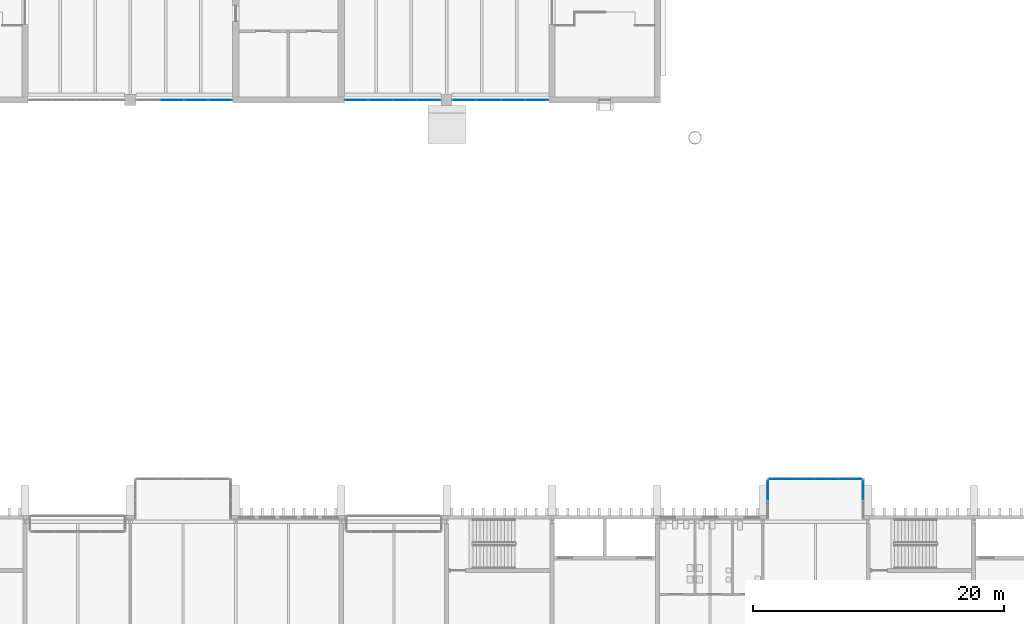
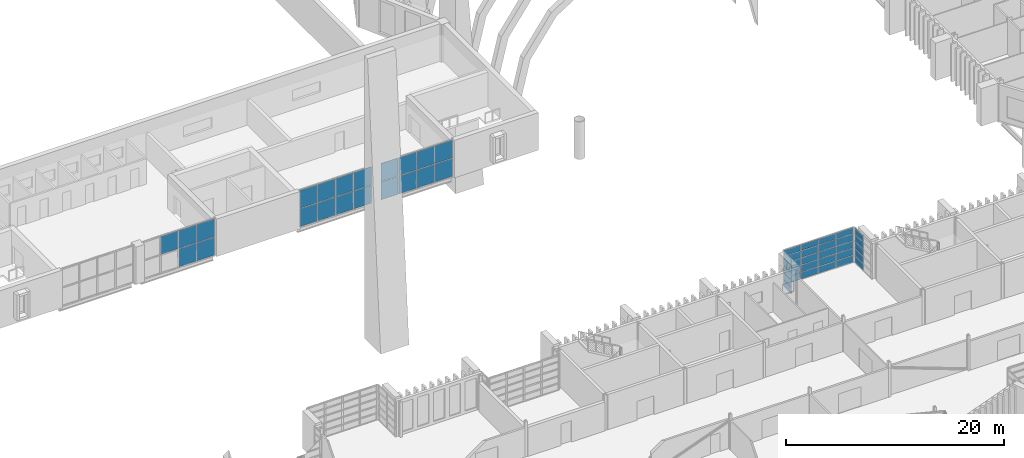
# One storey, part 49 of 88: 51 plates, 6 elements without a shape of their own.
"""IFC4 building model written with IfcOpenShell, lengths in metres."""

from ifc_helpers import new_model, si_unit, direction, frame, origin, origin_2d, place, context, subcontext, project, spatial, rectangle, extrude, material, layer, layer_set, type_object, element, aggregate, save


model = new_model("IFC4")

# Units and contexts
model_context = context("Model", 3, precision=1e-05, world=origin(), true_north=direction((0.0, 1.0)))
body_context = subcontext(model_context, "Body", "Model", "MODEL_VIEW")
ifc_project = project(units=[si_unit("LENGTHUNIT", "METRE"), si_unit("AREAUNIT", "SQUARE_METRE"), si_unit("VOLUMEUNIT", "CUBIC_METRE"), si_unit("PLANEANGLEUNIT", "RADIAN"), si_unit("MASSUNIT", "GRAM", prefix="KILO")], contexts=[model_context])

# Site, building, storey
site_placement = place(None, origin())
site = spatial("IfcSite", under=ifc_project, at=site_placement, CompositionType="ELEMENT")
building_placement = place(site_placement, origin())
building = spatial("IfcBuilding", under=site, at=building_placement, Name="Cresset Court Congress Hotel", CompositionType="ELEMENT")
storey_placement = place(building_placement, frame((0.0, 0.0, 14.39990234375)))
storey = spatial("IfcBuildingStorey", under=building, at=storey_placement, Name="L03", CompositionType="ELEMENT", Elevation=14.39990234375)

# Curtain wall, plates
ifc_material_1 = material(Name="Aluminium frame with double glazing", Category="aluminium")
ifc_layer_1 = layer(ifc_material_1, 0.199951171875)
ifc_layer_set_1 = layer_set([ifc_layer_1], Name="Glazed box curtain wall 1680 module")
curtain_wall_type_1 = type_object("IfcCurtainWallType", Name="Glazed box curtain wall 1680 module", PredefinedType="NOTDEFINED", material=ifc_layer_set_1)
curtain_wall_1_placement = place(storey_placement, origin())
curtain_wall_1 = element("IfcCurtainWall", 1, at=curtain_wall_1_placement, inside=storey, type_object=curtain_wall_type_1, Name="Glazed box N0333 front", PredefinedType="NOTDEFINED")
ifc_material_2 = material(Name="Toughened double glazing", Category="glass")
ifc_layer_2 = layer(ifc_material_2, 0.028076171875)
ifc_layer_set_2 = layer_set([ifc_layer_2], Name="Box glass panel 28")
plate_type_1 = type_object("IfcPlateType", Name="Box glass panel 28", PredefinedType="CURTAIN_PANEL", material=ifc_layer_set_2)
plate_1_placement = place(storey_placement, frame((127.43994140625, 28.60009765625, 0.06005859375), z_axis=(0.0, 0.0, 1.0), x_axis=(1.0, 0.0, 0.0)))
plate_1 = element("IfcPlate", 2, at=plate_1_placement, type_object=plate_type_1, Name="B-X1 panel 1.1", PredefinedType="CURTAIN_PANEL", context=body_context, shape_type="SweptSolid", body=[
    extrude(rectangle(XDim=1.760009765625, YDim=0.028076171875, at=origin_2d()), origin(), (0.0, 0.0, 1.0), 0.715087890625),
])
plate_2_placement = place(storey_placement, frame((127.43994140625, 28.60009765625, 0.8349609375), z_axis=(0.0, 0.0, 1.0), x_axis=(1.0, 0.0, 0.0)))
plate_2 = element("IfcPlate", 3, at=plate_2_placement, type_object=plate_type_1, Name="B-X1 panel 1.2", PredefinedType="CURTAIN_PANEL", context=body_context, shape_type="SweptSolid", body=[
    extrude(rectangle(XDim=1.760009765625, YDim=0.028076171875, at=origin_2d()), origin(), (0.0, 0.0, 1.0), 0.7451171875),
])
plate_3_placement = place(storey_placement, frame((127.43994140625, 28.60009765625, 1.64013671875), z_axis=(0.0, 0.0, 1.0), x_axis=(1.0, 0.0, 0.0)))
plate_3 = element("IfcPlate", 4, at=plate_3_placement, type_object=plate_type_1, Name="B-X1 panel 1.3", PredefinedType="CURTAIN_PANEL", context=body_context, shape_type="SweptSolid", body=[
    extrude(rectangle(XDim=1.760009765625, YDim=0.028076171875, at=origin_2d()), origin(), (0.0, 0.0, 1.0), 0.7451171875),
])
plate_4_placement = place(storey_placement, frame((127.43994140625, 28.60009765625, 2.445068359375), z_axis=(0.0, 0.0, 1.0), x_axis=(1.0, 0.0, 0.0)))
plate_4 = element("IfcPlate", 5, at=plate_4_placement, type_object=plate_type_1, Name="B-X1 panel 1.4", PredefinedType="CURTAIN_PANEL", context=body_context, shape_type="SweptSolid", body=[
    extrude(rectangle(XDim=1.760009765625, YDim=0.028076171875, at=origin_2d()), origin(), (0.0, 0.0, 1.0), 0.7451171875),
])
plate_5_placement = place(storey_placement, frame((129.27490234375, 28.60009765625, 0.06005859375), z_axis=(0.0, 0.0, 1.0), x_axis=(1.0, 0.0, 0.0)))
plate_5 = element("IfcPlate", 6, at=plate_5_placement, type_object=plate_type_1, Name="B-X1 panel 2.1", PredefinedType="CURTAIN_PANEL", context=body_context, shape_type="SweptSolid", body=[
    extrude(rectangle(XDim=1.7900390625, YDim=0.028076171875, at=origin_2d()), origin(), (0.0, 0.0, 1.0), 0.715087890625),
])
plate_6_placement = place(storey_placement, frame((129.27490234375, 28.60009765625, 0.8349609375), z_axis=(0.0, 0.0, 1.0), x_axis=(1.0, 0.0, 0.0)))
plate_6 = element("IfcPlate", 7, at=plate_6_placement, type_object=plate_type_1, Name="B-X1 panel 2.2", PredefinedType="CURTAIN_PANEL", context=body_context, shape_type="SweptSolid", body=[
    extrude(rectangle(XDim=1.7900390625, YDim=0.028076171875, at=origin_2d()), origin(), (0.0, 0.0, 1.0), 0.7451171875),
])
plate_7_placement = place(storey_placement, frame((129.27490234375, 28.60009765625, 1.64013671875), z_axis=(0.0, 0.0, 1.0), x_axis=(1.0, 0.0, 0.0)))
plate_7 = element("IfcPlate", 8, at=plate_7_placement, type_object=plate_type_1, Name="B-X1 panel 2.3", PredefinedType="CURTAIN_PANEL", context=body_context, shape_type="SweptSolid", body=[
    extrude(rectangle(XDim=1.7900390625, YDim=0.028076171875, at=origin_2d()), origin(), (0.0, 0.0, 1.0), 0.7451171875),
])
plate_8_placement = place(storey_placement, frame((129.27490234375, 28.60009765625, 2.445068359375), z_axis=(0.0, 0.0, 1.0), x_axis=(1.0, 0.0, 0.0)))
plate_8 = element("IfcPlate", 9, at=plate_8_placement, type_object=plate_type_1, Name="B-X1 panel 2.4", PredefinedType="CURTAIN_PANEL", context=body_context, shape_type="SweptSolid", body=[
    extrude(rectangle(XDim=1.7900390625, YDim=0.028076171875, at=origin_2d()), origin(), (0.0, 0.0, 1.0), 0.7451171875),
])
plate_9_placement = place(storey_placement, frame((131.125, 28.60009765625, 0.06005859375), z_axis=(0.0, 0.0, 1.0), x_axis=(1.0, 0.0, 0.0)))
plate_9 = element("IfcPlate", 10, at=plate_9_placement, type_object=plate_type_1, Name="B-X1 panel 3.1", PredefinedType="CURTAIN_PANEL", context=body_context, shape_type="SweptSolid", body=[
    extrude(rectangle(XDim=1.7900390625, YDim=0.028076171875, at=origin_2d()), origin(), (0.0, 0.0, 1.0), 0.715087890625),
])
plate_10_placement = place(storey_placement, frame((131.125, 28.60009765625, 0.8349609375), z_axis=(0.0, 0.0, 1.0), x_axis=(1.0, 0.0, 0.0)))
plate_10 = element("IfcPlate", 11, at=plate_10_placement, type_object=plate_type_1, Name="B-X1 panel 3.2", PredefinedType="CURTAIN_PANEL", context=body_context, shape_type="SweptSolid", body=[
    extrude(rectangle(XDim=1.7900390625, YDim=0.028076171875, at=origin_2d()), origin(), (0.0, 0.0, 1.0), 0.7451171875),
])
plate_11_placement = place(storey_placement, frame((131.125, 28.60009765625, 1.64013671875), z_axis=(0.0, 0.0, 1.0), x_axis=(1.0, 0.0, 0.0)))
plate_11 = element("IfcPlate", 12, at=plate_11_placement, type_object=plate_type_1, Name="B-X1 panel 3.3", PredefinedType="CURTAIN_PANEL", context=body_context, shape_type="SweptSolid", body=[
    extrude(rectangle(XDim=1.7900390625, YDim=0.028076171875, at=origin_2d()), origin(), (0.0, 0.0, 1.0), 0.7451171875),
])
plate_12_placement = place(storey_placement, frame((131.125, 28.60009765625, 2.445068359375), z_axis=(0.0, 0.0, 1.0), x_axis=(1.0, 0.0, 0.0)))
plate_12 = element("IfcPlate", 13, at=plate_12_placement, type_object=plate_type_1, Name="B-X1 panel 3.4", PredefinedType="CURTAIN_PANEL", context=body_context, shape_type="SweptSolid", body=[
    extrude(rectangle(XDim=1.7900390625, YDim=0.028076171875, at=origin_2d()), origin(), (0.0, 0.0, 1.0), 0.7451171875),
])
plate_13_placement = place(storey_placement, frame((132.9599609375, 28.60009765625, 0.06005859375), z_axis=(0.0, 0.0, 1.0), x_axis=(1.0, 0.0, 0.0)))
plate_13 = element("IfcPlate", 14, at=plate_13_placement, type_object=plate_type_1, Name="B-X1 panel 4.1", PredefinedType="CURTAIN_PANEL", context=body_context, shape_type="SweptSolid", body=[
    extrude(rectangle(XDim=1.760009765625, YDim=0.028076171875, at=origin_2d()), origin(), (0.0, 0.0, 1.0), 0.715087890625),
])
plate_14_placement = place(storey_placement, frame((132.9599609375, 28.60009765625, 0.8349609375), z_axis=(0.0, 0.0, 1.0), x_axis=(1.0, 0.0, 0.0)))
plate_14 = element("IfcPlate", 15, at=plate_14_placement, type_object=plate_type_1, Name="B-X1 panel 4.2", PredefinedType="CURTAIN_PANEL", context=body_context, shape_type="SweptSolid", body=[
    extrude(rectangle(XDim=1.760009765625, YDim=0.028076171875, at=origin_2d()), origin(), (0.0, 0.0, 1.0), 0.7451171875),
])
plate_15_placement = place(storey_placement, frame((132.9599609375, 28.60009765625, 1.64013671875), z_axis=(0.0, 0.0, 1.0), x_axis=(1.0, 0.0, 0.0)))
plate_15 = element("IfcPlate", 16, at=plate_15_placement, type_object=plate_type_1, Name="B-X1 panel 4.3", PredefinedType="CURTAIN_PANEL", context=body_context, shape_type="SweptSolid", body=[
    extrude(rectangle(XDim=1.760009765625, YDim=0.028076171875, at=origin_2d()), origin(), (0.0, 0.0, 1.0), 0.7451171875),
])
plate_16_placement = place(storey_placement, frame((132.9599609375, 28.60009765625, 2.445068359375), z_axis=(0.0, 0.0, 1.0), x_axis=(1.0, 0.0, 0.0)))
plate_16 = element("IfcPlate", 17, at=plate_16_placement, type_object=plate_type_1, Name="B-X1 panel 4.4", PredefinedType="CURTAIN_PANEL", context=body_context, shape_type="SweptSolid", body=[
    extrude(rectangle(XDim=1.760009765625, YDim=0.028076171875, at=origin_2d()), origin(), (0.0, 0.0, 1.0), 0.7451171875),
])

curtain_wall_2_placement = place(storey_placement, origin())
curtain_wall_2 = element("IfcCurtainWall", 18, at=curtain_wall_2_placement, inside=storey, type_object=curtain_wall_type_1, Name="Glazed box N0333 side", PredefinedType="NOTDEFINED")
plate_17_placement = place(storey_placement, frame((126.39990234375, 27.7099609375, 0.06005859375), z_axis=(0.0, 0.0, 1.0), x_axis=(0.0, 1.0, 0.0)))
plate_17 = element("IfcPlate", 19, at=plate_17_placement, type_object=plate_type_1, Name="B-X1 panel 2.1", PredefinedType="CURTAIN_PANEL", context=body_context, shape_type="SweptSolid", body=[
    extrude(rectangle(XDim=1.4599609375, YDim=0.028076171875, at=origin_2d()), origin(), (0.0, 0.0, 1.0), 0.715087890625),
])
plate_18_placement = place(storey_placement, frame((126.39990234375, 27.7099609375, 0.8349609375), z_axis=(0.0, 0.0, 1.0), x_axis=(0.0, 1.0, 0.0)))
plate_18 = element("IfcPlate", 20, at=plate_18_placement, type_object=plate_type_1, Name="B-X1 panel 2.2", PredefinedType="CURTAIN_PANEL", context=body_context, shape_type="SweptSolid", body=[
    extrude(rectangle(XDim=1.4599609375, YDim=0.028076171875, at=origin_2d()), origin(), (0.0, 0.0, 1.0), 0.7451171875),
])
plate_19_placement = place(storey_placement, frame((126.39990234375, 27.7099609375, 1.64013671875), z_axis=(0.0, 0.0, 1.0), x_axis=(0.0, 1.0, 0.0)))
plate_19 = element("IfcPlate", 21, at=plate_19_placement, type_object=plate_type_1, Name="B-X1 panel 2.3", PredefinedType="CURTAIN_PANEL", context=body_context, shape_type="SweptSolid", body=[
    extrude(rectangle(XDim=1.4599609375, YDim=0.028076171875, at=origin_2d()), origin(), (0.0, 0.0, 1.0), 0.7451171875),
])
plate_20_placement = place(storey_placement, frame((126.39990234375, 27.7099609375, 2.445068359375), z_axis=(0.0, 0.0, 1.0), x_axis=(0.0, 1.0, 0.0)))
plate_20 = element("IfcPlate", 22, at=plate_20_placement, type_object=plate_type_1, Name="B-X1 panel 2.4", PredefinedType="CURTAIN_PANEL", context=body_context, shape_type="SweptSolid", body=[
    extrude(rectangle(XDim=1.4599609375, YDim=0.028076171875, at=origin_2d()), origin(), (0.0, 0.0, 1.0), 0.7451171875),
])

curtain_wall_3_placement = place(storey_placement, origin())
curtain_wall_3 = element("IfcCurtainWall", 23, at=curtain_wall_3_placement, inside=storey, type_object=curtain_wall_type_1, Name="Glazed box N0333 side", PredefinedType="NOTDEFINED")
plate_21_placement = place(storey_placement, frame((134.0, 27.7099609375, 0.06005859375), z_axis=(0.0, 0.0, 1.0), x_axis=(0.0, 1.0, 0.0)))
plate_21 = element("IfcPlate", 24, at=plate_21_placement, type_object=plate_type_1, Name="B-X1 panel 2.1", PredefinedType="CURTAIN_PANEL", context=body_context, shape_type="SweptSolid", body=[
    extrude(rectangle(XDim=1.4599609375, YDim=0.028076171875, at=origin_2d()), origin(), (0.0, 0.0, 1.0), 0.715087890625),
])
plate_22_placement = place(storey_placement, frame((134.0, 27.7099609375, 0.8349609375), z_axis=(0.0, 0.0, 1.0), x_axis=(0.0, 1.0, 0.0)))
plate_22 = element("IfcPlate", 25, at=plate_22_placement, type_object=plate_type_1, Name="B-X1 panel 2.2", PredefinedType="CURTAIN_PANEL", context=body_context, shape_type="SweptSolid", body=[
    extrude(rectangle(XDim=1.4599609375, YDim=0.028076171875, at=origin_2d()), origin(), (0.0, 0.0, 1.0), 0.7451171875),
])
plate_23_placement = place(storey_placement, frame((134.0, 27.7099609375, 1.64013671875), z_axis=(0.0, 0.0, 1.0), x_axis=(0.0, 1.0, 0.0)))
plate_23 = element("IfcPlate", 26, at=plate_23_placement, type_object=plate_type_1, Name="B-X1 panel 2.3", PredefinedType="CURTAIN_PANEL", context=body_context, shape_type="SweptSolid", body=[
    extrude(rectangle(XDim=1.4599609375, YDim=0.028076171875, at=origin_2d()), origin(), (0.0, 0.0, 1.0), 0.7451171875),
])
plate_24_placement = place(storey_placement, frame((134.0, 27.7099609375, 2.445068359375), z_axis=(0.0, 0.0, 1.0), x_axis=(0.0, 1.0, 0.0)))
plate_24 = element("IfcPlate", 27, at=plate_24_placement, type_object=plate_type_1, Name="B-X1 panel 2.4", PredefinedType="CURTAIN_PANEL", context=body_context, shape_type="SweptSolid", body=[
    extrude(rectangle(XDim=1.4599609375, YDim=0.028076171875, at=origin_2d()), origin(), (0.0, 0.0, 1.0), 0.7451171875),
])

# Plate
ifc_material_3 = material(Name="Insulated aluminium spandrel panel", Category="aluminium")
ifc_layer_3 = layer(ifc_material_3, 0.0400390625)
ifc_layer_set_3 = layer_set([ifc_layer_3], Name="Box spandrel panel 40")
plate_type_2 = type_object("IfcPlateType", Name="Box spandrel panel 40", PredefinedType="CURTAIN_PANEL", material=ifc_layer_set_3)
plate_25_placement = place(storey_placement, frame((127.43994140625, 28.60009765625, 3.25), z_axis=(0.0, 0.0, 1.0), x_axis=(1.0, 0.0, 0.0)))
plate_25 = element("IfcPlate", 28, at=plate_25_placement, type_object=plate_type_2, Name="B-X1 spandrel panel 1.5", PredefinedType="CURTAIN_PANEL", context=body_context, shape_type="SweptSolid", body=[
    extrude(rectangle(XDim=1.760009765625, YDim=0.0400390625, at=origin_2d()), origin(), (0.0, 0.0, 1.0), 0.639892578125),
])

plate_26_placement = place(storey_placement, frame((129.27490234375, 28.60009765625, 3.25), z_axis=(0.0, 0.0, 1.0), x_axis=(1.0, 0.0, 0.0)))
plate_26 = element("IfcPlate", 29, at=plate_26_placement, type_object=plate_type_2, Name="B-X1 spandrel panel 2.5", PredefinedType="CURTAIN_PANEL", context=body_context, shape_type="SweptSolid", body=[
    extrude(rectangle(XDim=1.7900390625, YDim=0.0400390625, at=origin_2d()), origin(), (0.0, 0.0, 1.0), 0.639892578125),
])

plate_27_placement = place(storey_placement, frame((131.125, 28.60009765625, 3.25), z_axis=(0.0, 0.0, 1.0), x_axis=(1.0, 0.0, 0.0)))
plate_27 = element("IfcPlate", 30, at=plate_27_placement, type_object=plate_type_2, Name="B-X1 spandrel panel 3.5", PredefinedType="CURTAIN_PANEL", context=body_context, shape_type="SweptSolid", body=[
    extrude(rectangle(XDim=1.7900390625, YDim=0.0400390625, at=origin_2d()), origin(), (0.0, 0.0, 1.0), 0.639892578125),
])

plate_28_placement = place(storey_placement, frame((132.9599609375, 28.60009765625, 3.25), z_axis=(0.0, 0.0, 1.0), x_axis=(1.0, 0.0, 0.0)))
plate_28 = element("IfcPlate", 31, at=plate_28_placement, type_object=plate_type_2, Name="B-X1 spandrel panel 4.5", PredefinedType="CURTAIN_PANEL", context=body_context, shape_type="SweptSolid", body=[
    extrude(rectangle(XDim=1.760009765625, YDim=0.0400390625, at=origin_2d()), origin(), (0.0, 0.0, 1.0), 0.639892578125),
])

aggregate(curtain_wall_1, [plate_1, plate_2, plate_3, plate_4, plate_25, plate_5, plate_6, plate_7, plate_8, plate_26, plate_9, plate_10, plate_11, plate_12, plate_27, plate_13, plate_14, plate_15, plate_16, plate_28])

plate_29_placement = place(storey_placement, frame((126.39990234375, 27.7099609375, 3.25), z_axis=(0.0, 0.0, 1.0), x_axis=(0.0, 1.0, 0.0)))
plate_29 = element("IfcPlate", 32, at=plate_29_placement, type_object=plate_type_2, Name="B-X1 spandrel panel 2.5", PredefinedType="CURTAIN_PANEL", context=body_context, shape_type="SweptSolid", body=[
    extrude(rectangle(XDim=1.4599609375, YDim=0.0400390625, at=origin_2d()), origin(), (0.0, 0.0, 1.0), 0.639892578125),
])

aggregate(curtain_wall_2, [plate_17, plate_18, plate_19, plate_20, plate_29])

plate_30_placement = place(storey_placement, frame((134.0, 27.7099609375, 3.25), z_axis=(0.0, 0.0, 1.0), x_axis=(0.0, 1.0, 0.0)))
plate_30 = element("IfcPlate", 33, at=plate_30_placement, type_object=plate_type_2, Name="B-X1 spandrel panel 2.5", PredefinedType="CURTAIN_PANEL", context=body_context, shape_type="SweptSolid", body=[
    extrude(rectangle(XDim=1.4599609375, YDim=0.0400390625, at=origin_2d()), origin(), (0.0, 0.0, 1.0), 0.639892578125),
])

aggregate(curtain_wall_3, [plate_21, plate_22, plate_23, plate_24, plate_30])

# Curtain wall, plates
ifc_material_4 = material(Name="Aluminium and glass", Category="aluminium")
ifc_layer_4 = layer(ifc_material_4, 0.199951171875)
ifc_layer_set_4 = layer_set([ifc_layer_4], Name="Foyer curtain wall 1925 module")
curtain_wall_type_2 = type_object("IfcCurtainWallType", Name="Foyer curtain wall 1925 module", PredefinedType="NOTDEFINED", material=ifc_layer_set_4)
curtain_wall_4_placement = place(storey_placement, origin())
curtain_wall_4 = element("IfcCurtainWall", 34, at=curtain_wall_4_placement, inside=storey, type_object=curtain_wall_type_2, Name="Curtain wall CX-032", PredefinedType="NOTDEFINED")
ifc_material_5 = material(Name="Laminated glass", Category="glass")
ifc_layer_5 = layer(ifc_material_5, 0.028076171875)
ifc_layer_set_5 = layer_set([ifc_layer_5], Name="Curtain wall glass panel 28")
plate_type_3 = type_object("IfcPlateType", Name="Curtain wall glass panel 28", PredefinedType="CURTAIN_PANEL", material=ifc_layer_set_5)
plate_31_placement = place(storey_placement, frame((78.9375, 58.800048828125, 2.1298828125), z_axis=(0.0, 0.0, 1.0), x_axis=(1.0, 0.0, 0.0)))
plate_31 = element("IfcPlate", 35, at=plate_31_placement, type_object=plate_type_3, Name="C-X1 panel 2.2", PredefinedType="CURTAIN_PANEL", context=body_context, shape_type="SweptSolid", body=[
    extrude(rectangle(XDim=1.864990234375, YDim=0.028076171875, at=origin_2d()), origin(), (0.0, 0.0, 1.0), 2.010009765625),
])
plate_32_placement = place(storey_placement, frame((80.862548828125, 58.800048828125, 0.06005859375), z_axis=(0.0, 0.0, 1.0), x_axis=(1.0, 0.0, 0.0)))
plate_32 = element("IfcPlate", 36, at=plate_32_placement, type_object=plate_type_3, Name="C-X1 panel 3.1", PredefinedType="CURTAIN_PANEL", context=body_context, shape_type="SweptSolid", body=[
    extrude(rectangle(XDim=1.864990234375, YDim=0.028076171875, at=origin_2d()), origin(), (0.0, 0.0, 1.0), 2.010009765625),
])
plate_33_placement = place(storey_placement, frame((80.862548828125, 58.800048828125, 2.1298828125), z_axis=(0.0, 0.0, 1.0), x_axis=(1.0, 0.0, 0.0)))
plate_33 = element("IfcPlate", 37, at=plate_33_placement, type_object=plate_type_3, Name="C-X1 panel 3.2", PredefinedType="CURTAIN_PANEL", context=body_context, shape_type="SweptSolid", body=[
    extrude(rectangle(XDim=1.864990234375, YDim=0.028076171875, at=origin_2d()), origin(), (0.0, 0.0, 1.0), 2.010009765625),
])
plate_34_placement = place(storey_placement, frame((82.7724609375, 58.800048828125, 0.06005859375), z_axis=(0.0, 0.0, 1.0), x_axis=(1.0, 0.0, 0.0)))
plate_34 = element("IfcPlate", 38, at=plate_34_placement, type_object=plate_type_3, Name="C-X1 panel 4.1", PredefinedType="CURTAIN_PANEL", context=body_context, shape_type="SweptSolid", body=[
    extrude(rectangle(XDim=1.8349609375, YDim=0.028076171875, at=origin_2d()), origin(), (0.0, 0.0, 1.0), 2.010009765625),
])
plate_35_placement = place(storey_placement, frame((82.7724609375, 58.800048828125, 2.1298828125), z_axis=(0.0, 0.0, 1.0), x_axis=(1.0, 0.0, 0.0)))
plate_35 = element("IfcPlate", 39, at=plate_35_placement, type_object=plate_type_3, Name="C-X1 panel 4.2", PredefinedType="CURTAIN_PANEL", context=body_context, shape_type="SweptSolid", body=[
    extrude(rectangle(XDim=1.8349609375, YDim=0.028076171875, at=origin_2d()), origin(), (0.0, 0.0, 1.0), 2.010009765625),
])
aggregate(curtain_wall_4, [plate_31, plate_32, plate_33, plate_34, plate_35])

curtain_wall_5_placement = place(storey_placement, origin())
curtain_wall_5 = element("IfcCurtainWall", 40, at=curtain_wall_5_placement, inside=storey, type_object=curtain_wall_type_2, Name="Curtain wall CX-033", PredefinedType="NOTDEFINED")
plate_36_placement = place(storey_placement, frame((93.62744140625, 58.800048828125, 0.06005859375), z_axis=(0.0, 0.0, 1.0), x_axis=(1.0, 0.0, 0.0)))
plate_36 = element("IfcPlate", 41, at=plate_36_placement, type_object=plate_type_3, Name="C-X1 panel 1.1", PredefinedType="CURTAIN_PANEL", context=body_context, shape_type="SweptSolid", body=[
    extrude(rectangle(XDim=1.8349609375, YDim=0.028076171875, at=origin_2d()), origin(), (0.0, 0.0, 1.0), 2.010009765625),
])
plate_37_placement = place(storey_placement, frame((93.62744140625, 58.800048828125, 2.1298828125), z_axis=(0.0, 0.0, 1.0), x_axis=(1.0, 0.0, 0.0)))
plate_37 = element("IfcPlate", 42, at=plate_37_placement, type_object=plate_type_3, Name="C-X1 panel 1.2", PredefinedType="CURTAIN_PANEL", context=body_context, shape_type="SweptSolid", body=[
    extrude(rectangle(XDim=1.8349609375, YDim=0.028076171875, at=origin_2d()), origin(), (0.0, 0.0, 1.0), 2.010009765625),
])
plate_38_placement = place(storey_placement, frame((95.53759765625, 58.800048828125, 0.06005859375), z_axis=(0.0, 0.0, 1.0), x_axis=(1.0, 0.0, 0.0)))
plate_38 = element("IfcPlate", 43, at=plate_38_placement, type_object=plate_type_3, Name="C-X1 panel 2.1", PredefinedType="CURTAIN_PANEL", context=body_context, shape_type="SweptSolid", body=[
    extrude(rectangle(XDim=1.864990234375, YDim=0.028076171875, at=origin_2d()), origin(), (0.0, 0.0, 1.0), 2.010009765625),
])
plate_39_placement = place(storey_placement, frame((95.53759765625, 58.800048828125, 2.1298828125), z_axis=(0.0, 0.0, 1.0), x_axis=(1.0, 0.0, 0.0)))
plate_39 = element("IfcPlate", 44, at=plate_39_placement, type_object=plate_type_3, Name="C-X1 panel 2.2", PredefinedType="CURTAIN_PANEL", context=body_context, shape_type="SweptSolid", body=[
    extrude(rectangle(XDim=1.864990234375, YDim=0.028076171875, at=origin_2d()), origin(), (0.0, 0.0, 1.0), 2.010009765625),
])
plate_40_placement = place(storey_placement, frame((97.46240234375, 58.800048828125, 0.06005859375), z_axis=(0.0, 0.0, 1.0), x_axis=(1.0, 0.0, 0.0)))
plate_40 = element("IfcPlate", 45, at=plate_40_placement, type_object=plate_type_3, Name="C-X1 panel 3.1", PredefinedType="CURTAIN_PANEL", context=body_context, shape_type="SweptSolid", body=[
    extrude(rectangle(XDim=1.864990234375, YDim=0.028076171875, at=origin_2d()), origin(), (0.0, 0.0, 1.0), 2.010009765625),
])
plate_41_placement = place(storey_placement, frame((97.46240234375, 58.800048828125, 2.1298828125), z_axis=(0.0, 0.0, 1.0), x_axis=(1.0, 0.0, 0.0)))
plate_41 = element("IfcPlate", 46, at=plate_41_placement, type_object=plate_type_3, Name="C-X1 panel 3.2", PredefinedType="CURTAIN_PANEL", context=body_context, shape_type="SweptSolid", body=[
    extrude(rectangle(XDim=1.864990234375, YDim=0.028076171875, at=origin_2d()), origin(), (0.0, 0.0, 1.0), 2.010009765625),
])
plate_42_placement = place(storey_placement, frame((99.37255859375, 58.800048828125, 0.06005859375), z_axis=(0.0, 0.0, 1.0), x_axis=(1.0, 0.0, 0.0)))
plate_42 = element("IfcPlate", 47, at=plate_42_placement, type_object=plate_type_3, Name="C-X1 panel 4.1", PredefinedType="CURTAIN_PANEL", context=body_context, shape_type="SweptSolid", body=[
    extrude(rectangle(XDim=1.8349609375, YDim=0.028076171875, at=origin_2d()), origin(), (0.0, 0.0, 1.0), 2.010009765625),
])
plate_43_placement = place(storey_placement, frame((99.37255859375, 58.800048828125, 2.1298828125), z_axis=(0.0, 0.0, 1.0), x_axis=(1.0, 0.0, 0.0)))
plate_43 = element("IfcPlate", 48, at=plate_43_placement, type_object=plate_type_3, Name="C-X1 panel 4.2", PredefinedType="CURTAIN_PANEL", context=body_context, shape_type="SweptSolid", body=[
    extrude(rectangle(XDim=1.8349609375, YDim=0.028076171875, at=origin_2d()), origin(), (0.0, 0.0, 1.0), 2.010009765625),
])
aggregate(curtain_wall_5, [plate_36, plate_37, plate_38, plate_39, plate_40, plate_41, plate_42, plate_43])

curtain_wall_6_placement = place(storey_placement, origin())
curtain_wall_6 = element("IfcCurtainWall", 49, at=curtain_wall_6_placement, inside=storey, type_object=curtain_wall_type_2, Name="Curtain wall CX-034", PredefinedType="NOTDEFINED")
plate_44_placement = place(storey_placement, frame((102.2275390625, 58.800048828125, 0.06005859375), z_axis=(0.0, 0.0, 1.0), x_axis=(1.0, 0.0, 0.0)))
plate_44 = element("IfcPlate", 50, at=plate_44_placement, type_object=plate_type_3, Name="C-X1 panel 1.1", PredefinedType="CURTAIN_PANEL", context=body_context, shape_type="SweptSolid", body=[
    extrude(rectangle(XDim=1.8349609375, YDim=0.028076171875, at=origin_2d()), origin(), (0.0, 0.0, 1.0), 2.010009765625),
])
plate_45_placement = place(storey_placement, frame((102.2275390625, 58.800048828125, 2.1298828125), z_axis=(0.0, 0.0, 1.0), x_axis=(1.0, 0.0, 0.0)))
plate_45 = element("IfcPlate", 51, at=plate_45_placement, type_object=plate_type_3, Name="C-X1 panel 1.2", PredefinedType="CURTAIN_PANEL", context=body_context, shape_type="SweptSolid", body=[
    extrude(rectangle(XDim=1.8349609375, YDim=0.028076171875, at=origin_2d()), origin(), (0.0, 0.0, 1.0), 2.010009765625),
])
plate_46_placement = place(storey_placement, frame((104.137451171875, 58.800048828125, 0.06005859375), z_axis=(0.0, 0.0, 1.0), x_axis=(1.0, 0.0, 0.0)))
plate_46 = element("IfcPlate", 52, at=plate_46_placement, type_object=plate_type_3, Name="C-X1 panel 2.1", PredefinedType="CURTAIN_PANEL", context=body_context, shape_type="SweptSolid", body=[
    extrude(rectangle(XDim=1.864990234375, YDim=0.028076171875, at=origin_2d()), origin(), (0.0, 0.0, 1.0), 2.010009765625),
])
plate_47_placement = place(storey_placement, frame((104.137451171875, 58.800048828125, 2.1298828125), z_axis=(0.0, 0.0, 1.0), x_axis=(1.0, 0.0, 0.0)))
plate_47 = element("IfcPlate", 53, at=plate_47_placement, type_object=plate_type_3, Name="C-X1 panel 2.2", PredefinedType="CURTAIN_PANEL", context=body_context, shape_type="SweptSolid", body=[
    extrude(rectangle(XDim=1.864990234375, YDim=0.028076171875, at=origin_2d()), origin(), (0.0, 0.0, 1.0), 2.010009765625),
])
plate_48_placement = place(storey_placement, frame((106.0625, 58.800048828125, 0.06005859375), z_axis=(0.0, 0.0, 1.0), x_axis=(1.0, 0.0, 0.0)))
plate_48 = element("IfcPlate", 54, at=plate_48_placement, type_object=plate_type_3, Name="C-X1 panel 3.1", PredefinedType="CURTAIN_PANEL", context=body_context, shape_type="SweptSolid", body=[
    extrude(rectangle(XDim=1.864990234375, YDim=0.028076171875, at=origin_2d()), origin(), (0.0, 0.0, 1.0), 2.010009765625),
])
plate_49_placement = place(storey_placement, frame((106.0625, 58.800048828125, 2.1298828125), z_axis=(0.0, 0.0, 1.0), x_axis=(1.0, 0.0, 0.0)))
plate_49 = element("IfcPlate", 55, at=plate_49_placement, type_object=plate_type_3, Name="C-X1 panel 3.2", PredefinedType="CURTAIN_PANEL", context=body_context, shape_type="SweptSolid", body=[
    extrude(rectangle(XDim=1.864990234375, YDim=0.028076171875, at=origin_2d()), origin(), (0.0, 0.0, 1.0), 2.010009765625),
])
plate_50_placement = place(storey_placement, frame((107.972412109375, 58.800048828125, 0.06005859375), z_axis=(0.0, 0.0, 1.0), x_axis=(1.0, 0.0, 0.0)))
plate_50 = element("IfcPlate", 56, at=plate_50_placement, type_object=plate_type_3, Name="C-X1 panel 4.1", PredefinedType="CURTAIN_PANEL", context=body_context, shape_type="SweptSolid", body=[
    extrude(rectangle(XDim=1.8349609375, YDim=0.028076171875, at=origin_2d()), origin(), (0.0, 0.0, 1.0), 2.010009765625),
])
plate_51_placement = place(storey_placement, frame((107.972412109375, 58.800048828125, 2.1298828125), z_axis=(0.0, 0.0, 1.0), x_axis=(1.0, 0.0, 0.0)))
plate_51 = element("IfcPlate", 57, at=plate_51_placement, type_object=plate_type_3, Name="C-X1 panel 4.2", PredefinedType="CURTAIN_PANEL", context=body_context, shape_type="SweptSolid", body=[
    extrude(rectangle(XDim=1.8349609375, YDim=0.028076171875, at=origin_2d()), origin(), (0.0, 0.0, 1.0), 2.010009765625),
])
aggregate(curtain_wall_6, [plate_44, plate_45, plate_46, plate_47, plate_48, plate_49, plate_50, plate_51])

save(model, "model.ifc")
